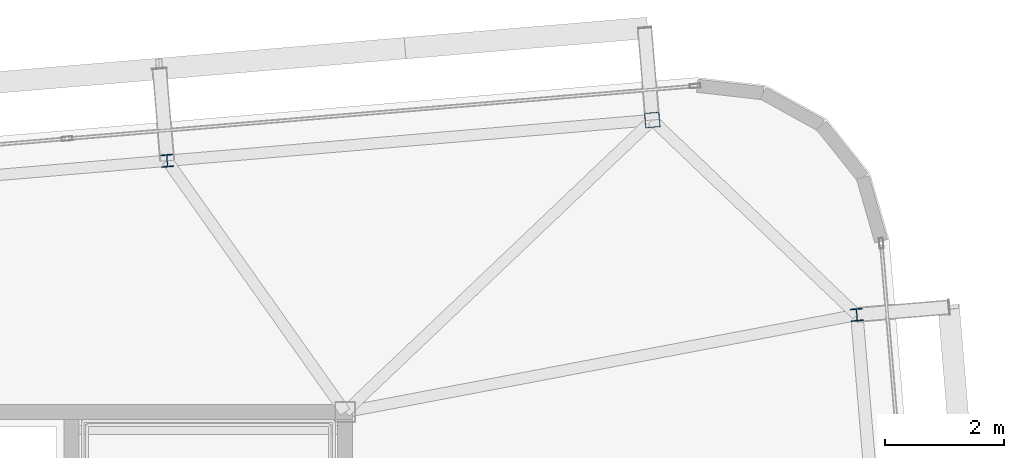
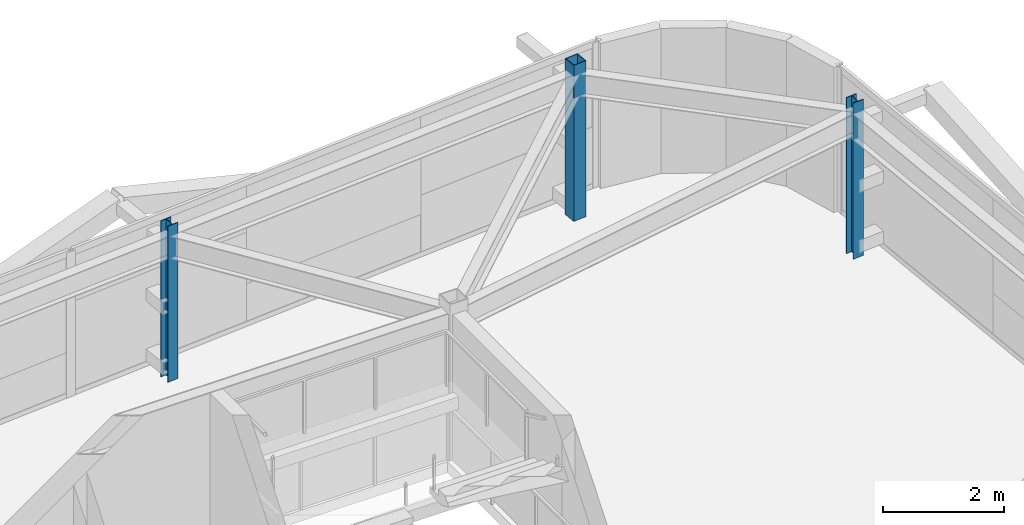
# One storey, part 6 of 39: 3 columns.
"""IFC4 building model written with IfcOpenShell, lengths in metres."""

from ifc_helpers import new_model, si_unit, direction, frame, origin, origin_2d, place, context, subcontext, project, spatial, hollow_rectangle, i_section, extrude, source, transform, mapped, material, material_profile, profile_set, type_object, element, save


model = new_model("IFC4")

# Units and contexts
model_context = context("Model", 3, precision=1e-05, world=origin(), true_north=direction((0.0, 1.0)))
body_context = subcontext(model_context, "Body", "Model", "MODEL_VIEW")
ifc_project = project(units=[si_unit("LENGTHUNIT", "METRE"), si_unit("AREAUNIT", "SQUARE_METRE"), si_unit("VOLUMEUNIT", "CUBIC_METRE"), si_unit("PLANEANGLEUNIT", "RADIAN"), si_unit("MASSUNIT", "GRAM", prefix="KILO")], contexts=[model_context])

# Site, building, storey
site_placement = place(None, origin())
site = spatial("IfcSite", under=ifc_project, at=site_placement, CompositionType="ELEMENT")
building_placement = place(site_placement, origin())
building = spatial("IfcBuilding", under=site, at=building_placement, Name="Taldren Reach Tower", CompositionType="ELEMENT")
storey_placement = place(building_placement, frame((0.0, 0.0, 175.699951171875)))
storey = spatial("IfcBuildingStorey", under=building, at=storey_placement, Name="L53", CompositionType="ELEMENT", Elevation=175.699951171875)

# Columns
ifc_material_1 = material(Name="Steel Gr 350 (C350L0)", Category="steel")
ifc_material_profile_1 = material_profile(ifc_material_1, hollow_rectangle(XDim=0.25, YDim=0.25, WallThickness=0.010009765625, at=origin_2d()), Name="250x250x10.0SHS")
ifc_profile_set_1 = profile_set([ifc_material_profile_1], Name="Steel Gr 350 (C350L0)")
column_type_1 = type_object("IfcColumnType", Name="COL-SHS250", PredefinedType="COLUMN", material=ifc_profile_set_1)
shared_shape_1 = source(origin(), body_context, "Body", "SweptSolid", [
    extrude(hollow_rectangle(XDim=0.25, YDim=0.25, WallThickness=0.010009765625, at=origin_2d()), origin(), (0.0, 0.0, 1.0), 3.150146484375),
])
column_placement = place(storey_placement, frame((56.160400390625, 36.906005859375, 0.0), z_axis=(0.0, 0.0, 1.0), x_axis=(0.99649285925, 0.083677843332, 0.0)))
element("IfcColumn", 1, at=column_placement, inside=storey, type_object=column_type_1, Name="Block B4 perimeter column N6 L53", PredefinedType="COLUMN", context=body_context, shape_type="MappedRepresentation", body=[
    mapped(shared_shape_1, transform((0.0, 0.0, 0.0), scale=1.0)),
])
ifc_material_2 = material(Name="Steel Gr 350 (350PLUS)", Category="steel")
ifc_material_profile_2 = material_profile(ifc_material_2, i_section(OverallWidth=0.205078125, OverallDepth=0.2099609375, WebThickness=0.00927734375, FlangeThickness=0.01416015625, at=origin_2d()), Name="200UC59.5")
ifc_profile_set_2 = profile_set([ifc_material_profile_2], Name="Steel Gr 350 (350PLUS)")
column_type_2 = type_object("IfcColumnType", Name="COL-UC200", PredefinedType="COLUMN", material=ifc_profile_set_2)
shared_shape_2 = source(origin(), body_context, "Body", "SweptSolid", [
    extrude(i_section(OverallWidth=0.205078125, OverallDepth=0.2099609375, WebThickness=0.00927734375, FlangeThickness=0.01416015625, at=origin_2d()), origin(), (0.0, 0.0, 1.0), 3.150146484375),
])
for number, where, z_axis, x_axis, name in (
    (2, (48.009033203125, 36.221435546875, 0.0), (0.0, 0.0, 1.0), (0.99649285925, 0.083677843332, 0.0), "Block B4 perimeter column N5 L53"),
    (3, (59.596435546875, 33.632080078125, 0.0), (0.0, 0.0, 1.0), (0.99649285925, 0.083677843332, 0.0), "Block B4 perimeter column E3 L53"),
):
    element("IfcColumn", number, at=place(storey_placement, frame(where, z_axis=z_axis, x_axis=x_axis)), inside=storey, type_object=column_type_2, Name=name, PredefinedType="COLUMN", context=body_context, shape_type="MappedRepresentation", body=[
        mapped(shared_shape_2, transform((0.0, 0.0, 0.0), scale=1.0)),
    ])

save(model, "model.ifc")
